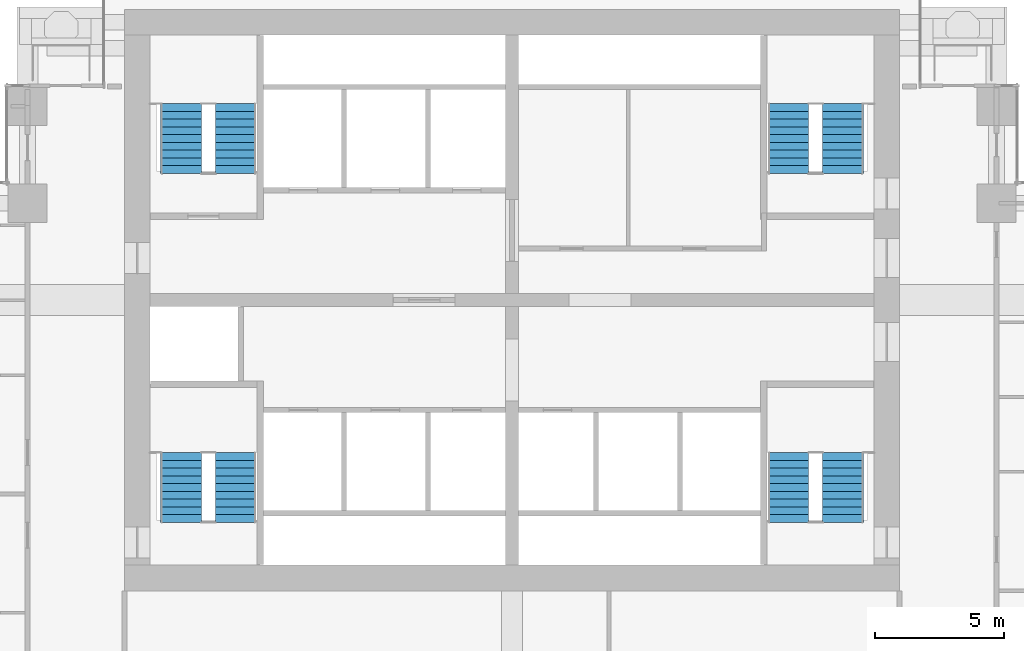
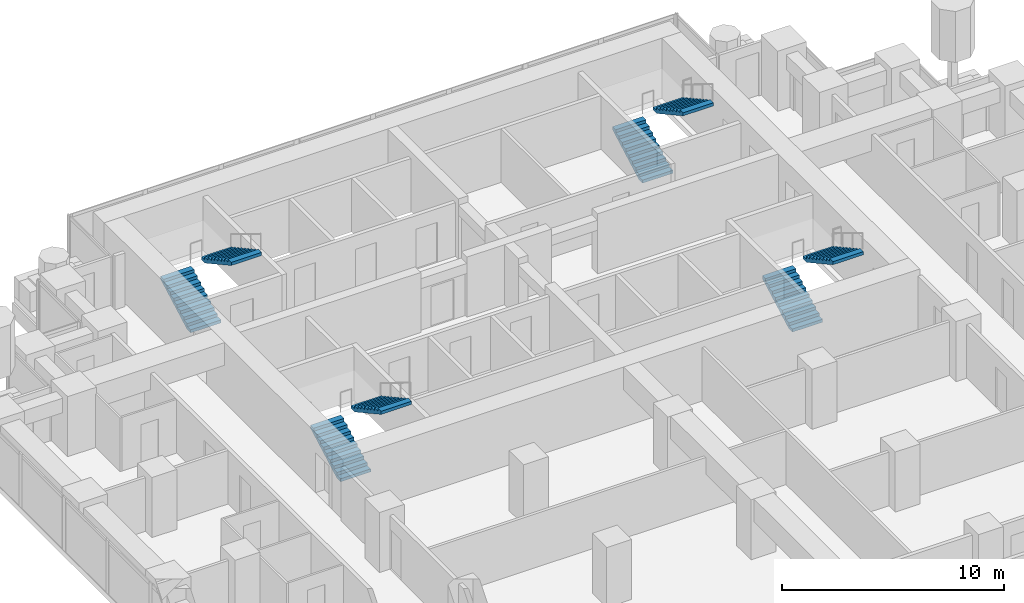
# One storey, part 17 of 20: 8 stair flights, 4 elements without a shape of their own.
"""IFC4 building model written with IfcOpenShell, lengths in metres."""

import ifcopenshell
import ifcopenshell.guid

model = None  # the IFC model being written
_history = None  # IfcOwnerHistory: only IFC2X3 demands one
_inside = {}  # id of a spatial element -> (the spatial element, [elements in it])
_under = {}  # id of a project, library or spatial element -> (it, [spatial elements below it])
_declared = {}  # id of a project -> (the project, [libraries it declares])
_typed = {}  # id of a type object -> (the type object, [elements of that type])
_made_of = {}  # id of a material, layer set ... -> (it, [elements and type objects made of it])


def new_model(schema):
    """Start an empty IFC model of exactly this schema.

    Asked for "IFC4X3", IfcOpenShell would pick the latest addendum, in which some entities
    have other attributes; the version numbers below select the first issue.
    IFC2X3 requires an IfcOwnerHistory on every rooted entity: one is made here for all.
    """
    global model, _history
    if schema == "IFC4X3":
        model = ifcopenshell.file(schema_version=(4, 3, 0, 0))
    else:
        model = ifcopenshell.file(schema=schema)
    _inside.clear()
    _under.clear()
    _declared.clear()
    _typed.clear()
    _made_of.clear()
    _history = None
    if model.schema == "IFC2X3":
        org = make("IfcOrganization", Name="unknown")
        user = make(
            "IfcPersonAndOrganization",
            ThePerson=make("IfcPerson", FamilyName="unknown"),
            TheOrganization=org,
        )
        app = make(
            "IfcApplication",
            ApplicationDeveloper=org,
            Version="unknown",
            ApplicationFullName="unknown",
            ApplicationIdentifier="unknown",
        )
        _history = make(
            "IfcOwnerHistory",
            OwningUser=user,
            OwningApplication=app,
            ChangeAction="ADDED",
            CreationDate=0,
        )
    return model


def make(cls, **values):
    """One entity of the class cls with the attributes given. An attribute that is None is left unset."""
    return model.create_entity(
        cls, **{name: value for name, value in values.items() if value is not None}
    )


def rooted(cls, **values):
    """An entity with a GlobalId (a new one), such as an element, a storey or a relation."""
    return make(cls, GlobalId=ifcopenshell.guid.new(), OwnerHistory=_history, **values)


def si_unit(unit_type, name, prefix=None):
    """IfcSIUnit, for example si_unit("LENGTHUNIT", "METRE", prefix="MILLI")."""
    return make("IfcSIUnit", UnitType=unit_type, Prefix=prefix, Name=name)


def assignment(units):
    """IfcUnitAssignment: the units of a project."""
    return None if units is None else make("IfcUnitAssignment", Units=units)


def point(xyz):
    """IfcCartesianPoint."""
    return None if xyz is None else make("IfcCartesianPoint", Coordinates=xyz)


def direction(xyz):
    """IfcDirection."""
    return None if xyz is None else make("IfcDirection", DirectionRatios=xyz)


def frame(location, z_axis=None, x_axis=None):
    """IfcAxis2Placement3D, a coordinate frame: its origin and axes. An axis left out is left unset."""
    return make(
        "IfcAxis2Placement3D",
        Location=point(location),
        Axis=direction(z_axis),
        RefDirection=direction(x_axis),
    )


def origin():
    """The frame at (0, 0, 0) with its axes left unset."""
    return frame((0.0, 0.0, 0.0))


def place(relative_to, where):
    """IfcLocalPlacement: puts the frame where relative to a parent placement (None: the world)."""
    return make(
        "IfcLocalPlacement", PlacementRelTo=relative_to, RelativePlacement=where
    )


def context(
    kind, dimensions, precision=None, world=None, true_north=None, identifier=None
):
    """IfcGeometricRepresentationContext, for example the 3D "Model" context."""
    return make(
        "IfcGeometricRepresentationContext",
        ContextIdentifier=identifier,
        ContextType=kind,
        CoordinateSpaceDimension=dimensions,
        Precision=precision,
        WorldCoordinateSystem=world,
        TrueNorth=true_north,
    )


def subcontext(parent, identifier, kind, view, scale=None):
    """IfcGeometricRepresentationSubContext, for example "Body" below "Model"."""
    return make(
        "IfcGeometricRepresentationSubContext",
        ContextIdentifier=identifier,
        ContextType=kind,
        ParentContext=parent,
        TargetScale=scale,
        TargetView=view,
    )


def project(units=None, contexts=None):
    """IfcProject with its units and contexts."""
    return rooted(
        "IfcProject",
        Name="project",
        RepresentationContexts=contexts,
        UnitsInContext=assignment(units),
    )


def spatial(cls, under=None, at=None, **own):
    """A site, building, storey or space (cls), placed at a placement, below another one or the project."""
    s = rooted(cls, ObjectPlacement=at, **own)
    if under is not None:
        _under.setdefault(under.id(), (under, []))[1].append(s)
    return s


def polyline(points):
    """IfcPolyline through the points."""
    return make("IfcPolyline", Points=[point(p) for p in points])


def outline(outer, holes=None, kind="AREA"):
    """IfcArbitraryClosedProfileDef: a profile drawn as a closed curve; with holes, ...WithVoids."""
    if holes is None:
        return make("IfcArbitraryClosedProfileDef", ProfileType=kind, OuterCurve=outer)
    return make(
        "IfcArbitraryProfileDefWithVoids",
        ProfileType=kind,
        OuterCurve=outer,
        InnerCurves=holes,
    )


def extrude(swept, where, along, depth):
    """IfcExtrudedAreaSolid: the profile swept, set in the frame where, extruded along a direction by depth."""
    return make(
        "IfcExtrudedAreaSolid",
        SweptArea=swept,
        Position=where,
        ExtrudedDirection=direction(along),
        Depth=depth,
    )


def shape(context_of_items, identifier, shape_type, items):
    """IfcShapeRepresentation: the items that make up one representation, for example the "Body"."""
    return make(
        "IfcShapeRepresentation",
        ContextOfItems=context_of_items,
        RepresentationIdentifier=identifier,
        RepresentationType=shape_type,
        Items=items,
    )


def material(Name=None, Category=None):
    """IfcMaterial."""
    return make("IfcMaterial", Name=Name, Category=Category)


def made_of(thing, what):
    """Note that an element or type object is made of a material, layer set ...; save() writes the relation."""
    if what is not None:
        _made_of.setdefault(what.id(), (what, []))[1].append(thing)
    return thing


def type_object(cls, material=None, **own):
    """A type object (cls), such as IfcWallType, which elements share."""
    return made_of(rooted(cls, **own), material)


def element(
    cls,
    number,
    at=None,
    inside=None,
    cuts=None,
    type_object=None,
    material=None,
    context=None,
    identifier="Body",
    shape_type=None,
    held_by="IfcProductDefinitionShape",
    body=None,
    shapes=None,
    **own,
):
    """One element of the class cls, such as IfcWall. Its Tag is "e" and its number.

    at: its placement. inside: the storey or other place that contains it. cuts: it is an
    opening in that element (IfcRelVoidsElement). A single representation is given by context,
    identifier, shape_type and body (its items); several are given by shapes. held_by: the class
    of the entity that holds the representations. save() writes the other relations.
    """
    e = rooted(cls, Tag="e%d" % number, ObjectPlacement=at, **own)
    if body is not None:
        shapes = [shape(context, identifier, shape_type, body)]
    if shapes is not None:
        e.Representation = make(held_by, Representations=shapes)
    if inside is not None:
        _inside.setdefault(inside.id(), (inside, []))[1].append(e)
    if cuts is not None:
        rooted(
            "IfcRelVoidsElement", RelatingBuildingElement=cuts, RelatedOpeningElement=e
        )
    if type_object is not None:
        _typed.setdefault(type_object.id(), (type_object, []))[1].append(e)
    return made_of(e, material)


def aggregate(whole, parts):
    """IfcRelAggregates: a whole, such as a stair, and the parts it consists of."""
    return rooted("IfcRelAggregates", RelatingObject=whole, RelatedObjects=parts)


def save(model, path):
    """Write the relations noted so far, then the file.

    IfcRelAggregates (storeys below a building ...), IfcRelContainedInSpatialStructure (elements
    in a storey), IfcRelDefinesByType, IfcRelAssociatesMaterial and IfcRelDeclares: one each for
    every whole, place, type object, material and project.
    """
    for whole, parts in _under.values():
        aggregate(whole, parts)
    for where, things in _inside.values():
        rooted(
            "IfcRelContainedInSpatialStructure",
            RelatedElements=things,
            RelatingStructure=where,
        )
    for kind, things in _typed.values():
        rooted("IfcRelDefinesByType", RelatedObjects=things, RelatingType=kind)
    for what, things in _made_of.values():
        rooted("IfcRelAssociatesMaterial", RelatedObjects=things, RelatingMaterial=what)
    for by, libraries in _declared.values():
        rooted("IfcRelDeclares", RelatingContext=by, RelatedDefinitions=libraries)
    model.write(path)


model = new_model("IFC4")

# Units and contexts
model_context = context("Model", 3, precision=1e-05, world=origin(), true_north=direction((0.0, 1.0)))
body_context = subcontext(model_context, "Body", "Model", "MODEL_VIEW")
ifc_project = project(units=[si_unit("LENGTHUNIT", "METRE"), si_unit("AREAUNIT", "SQUARE_METRE"), si_unit("VOLUMEUNIT", "CUBIC_METRE"), si_unit("PLANEANGLEUNIT", "RADIAN"), si_unit("MASSUNIT", "GRAM", prefix="KILO")], contexts=[model_context])

# Site, building, storey
site_placement = place(None, origin())
site = spatial("IfcSite", under=ifc_project, at=site_placement, CompositionType="ELEMENT")
building_placement = place(site_placement, origin())
building = spatial("IfcBuilding", under=site, at=building_placement, Name="Pilkhan Gate Tower", CompositionType="ELEMENT")
storey_placement = place(building_placement, frame((0.0, 0.0, 98.89990234375)))
storey = spatial("IfcBuildingStorey", under=building, at=storey_placement, Name="L24", CompositionType="ELEMENT", Elevation=98.89990234375)

# Stair, stair flights
ifc_material = material(Name="Concrete C40/50 precast", Category="concrete")
stair_type_1 = type_object("IfcStairType", Name="Stair ST1 165x300", PredefinedType="HALF_TURN_STAIR", material=ifc_material)
stair_1_placement = place(storey_placement, origin())
stair_1 = element("IfcStair", 1, at=stair_1_placement, inside=storey, type_object=stair_type_1, Name="Stair ST1 L24", PredefinedType="HALF_TURN_STAIR")
stair_flight_type_1 = type_object("IfcStairFlightType", Name="Stair flight ST1 165x300x10", PredefinedType="STRAIGHT", material=ifc_material)
stair_flight_1_placement = place(storey_placement, frame((85.68994140625, 73.89990234375, 0.0), z_axis=(0.0, 0.0, 1.0), x_axis=(0.0, 1.0, 0.0)))
stair_flight_1 = element("IfcStairFlight", 2, at=stair_flight_1_placement, type_object=stair_flight_type_1, Name="ST1 flight 1", NumberOfRisers=10, NumberOfTreads=9, PredefinedType="STRAIGHT", RiserHeight=0.165, TreadLength=0.3, context=body_context, shape_type="SweptSolid", body=[
    extrude(outline(polyline([(0.0, 0.0), (0.0, 0.1650390625), (0.300048828125, 0.1650390625), (0.300048828125, 0.330078125), (0.60009765625, 0.330078125), (0.60009765625, 0.4951171875), (0.89990234375, 0.4951171875), (0.89990234375, 0.659912109375), (1.199951171875, 0.659912109375), (1.199951171875, 0.824951171875), (1.5, 0.824951171875), (1.5, 0.989990234375), (1.800048828125, 0.989990234375), (1.800048828125, 1.155029296875), (2.10009765625, 1.155029296875), (2.10009765625, 1.320068359375), (2.39990234375, 1.320068359375), (2.39990234375, 1.485107421875), (2.699951171875, 1.485107421875), (2.699951171875, 1.64990234375), (2.699951171875, 1.31396484375), (0.31103515625, 0.0), (0.0, 0.0)])), frame((0.0, 0.7900390625, 0.0), z_axis=(0.0, -1.0, 0.0), x_axis=(1.0, 0.0, 0.0)), (0.0, 0.0, 1.0), 1.580078125),
])
stair_flight_2_placement = place(storey_placement, frame((87.81005859375, 76.60009765625, 1.650146484375), z_axis=(0.0, 0.0, 1.0), x_axis=(0.0, -1.0, 0.0)))
stair_flight_2 = element("IfcStairFlight", 3, at=stair_flight_2_placement, type_object=stair_flight_type_1, Name="ST1 flight 2", NumberOfRisers=10, NumberOfTreads=9, PredefinedType="STRAIGHT", RiserHeight=0.165, TreadLength=0.3, context=body_context, shape_type="SweptSolid", body=[
    extrude(outline(polyline([(0.0, 0.0), (0.0, 0.1650390625), (0.300048828125, 0.1650390625), (0.300048828125, 0.330078125), (0.60009765625, 0.330078125), (0.60009765625, 0.4951171875), (0.89990234375, 0.4951171875), (0.89990234375, 0.659912109375), (1.199951171875, 0.659912109375), (1.199951171875, 0.824951171875), (1.5, 0.824951171875), (1.5, 0.989990234375), (1.800048828125, 0.989990234375), (1.800048828125, 1.155029296875), (2.10009765625, 1.155029296875), (2.10009765625, 1.320068359375), (2.39990234375, 1.320068359375), (2.39990234375, 1.485107421875), (2.699951171875, 1.485107421875), (2.699951171875, 1.64990234375), (2.699951171875, 1.31396484375), (0.31103515625, 0.0), (0.0, 0.0)])), frame((0.0, 0.7900390625, 0.0), z_axis=(0.0, -1.0, 0.0), x_axis=(1.0, 0.0, 0.0)), (0.0, 0.0, 1.0), 1.580078125),
])
aggregate(stair_1, [stair_flight_1, stair_flight_2])

stair_type_2 = type_object("IfcStairType", Name="Stair ST2 165x300", PredefinedType="HALF_TURN_STAIR", material=ifc_material)
stair_2_placement = place(storey_placement, origin())
stair_2 = element("IfcStair", 4, at=stair_2_placement, inside=storey, type_object=stair_type_2, Name="Stair ST2 L24", PredefinedType="HALF_TURN_STAIR")
stair_flight_type_2 = type_object("IfcStairFlightType", Name="Stair flight ST2 165x300x10", PredefinedType="STRAIGHT", material=ifc_material)
stair_flight_3_placement = place(storey_placement, frame((62.18994140625, 73.89990234375, 0.0), z_axis=(0.0, 0.0, 1.0), x_axis=(0.0, 1.0, 0.0)))
stair_flight_3 = element("IfcStairFlight", 5, at=stair_flight_3_placement, type_object=stair_flight_type_2, Name="ST2 flight 1", NumberOfRisers=10, NumberOfTreads=9, PredefinedType="STRAIGHT", RiserHeight=0.165, TreadLength=0.3, context=body_context, shape_type="SweptSolid", body=[
    extrude(outline(polyline([(0.0, 0.0), (0.0, 0.1650390625), (0.300048828125, 0.1650390625), (0.300048828125, 0.330078125), (0.60009765625, 0.330078125), (0.60009765625, 0.4951171875), (0.89990234375, 0.4951171875), (0.89990234375, 0.659912109375), (1.199951171875, 0.659912109375), (1.199951171875, 0.824951171875), (1.5, 0.824951171875), (1.5, 0.989990234375), (1.800048828125, 0.989990234375), (1.800048828125, 1.155029296875), (2.10009765625, 1.155029296875), (2.10009765625, 1.320068359375), (2.39990234375, 1.320068359375), (2.39990234375, 1.485107421875), (2.699951171875, 1.485107421875), (2.699951171875, 1.64990234375), (2.699951171875, 1.31396484375), (0.31103515625, 0.0), (0.0, 0.0)])), frame((0.0, 0.7900390625, 0.0), z_axis=(0.0, -1.0, 0.0), x_axis=(1.0, 0.0, 0.0)), (0.0, 0.0, 1.0), 1.580078125),
])
stair_flight_4_placement = place(storey_placement, frame((64.31005859375, 76.60009765625, 1.650146484375), z_axis=(0.0, 0.0, 1.0), x_axis=(0.0, -1.0, 0.0)))
stair_flight_4 = element("IfcStairFlight", 6, at=stair_flight_4_placement, type_object=stair_flight_type_2, Name="ST2 flight 2", NumberOfRisers=10, NumberOfTreads=9, PredefinedType="STRAIGHT", RiserHeight=0.165, TreadLength=0.3, context=body_context, shape_type="SweptSolid", body=[
    extrude(outline(polyline([(0.0, 0.0), (0.0, 0.1650390625), (0.300048828125, 0.1650390625), (0.300048828125, 0.330078125), (0.60009765625, 0.330078125), (0.60009765625, 0.4951171875), (0.89990234375, 0.4951171875), (0.89990234375, 0.659912109375), (1.199951171875, 0.659912109375), (1.199951171875, 0.824951171875), (1.5, 0.824951171875), (1.5, 0.989990234375), (1.800048828125, 0.989990234375), (1.800048828125, 1.155029296875), (2.10009765625, 1.155029296875), (2.10009765625, 1.320068359375), (2.39990234375, 1.320068359375), (2.39990234375, 1.485107421875), (2.699951171875, 1.485107421875), (2.699951171875, 1.64990234375), (2.699951171875, 1.31396484375), (0.31103515625, 0.0), (0.0, 0.0)])), frame((0.0, 0.7900390625, 0.0), z_axis=(0.0, -1.0, 0.0), x_axis=(1.0, 0.0, 0.0)), (0.0, 0.0, 1.0), 1.580078125),
])
aggregate(stair_2, [stair_flight_3, stair_flight_4])

stair_type_3 = type_object("IfcStairType", Name="Stair ST3 165x300", PredefinedType="HALF_TURN_STAIR", material=ifc_material)
stair_3_placement = place(storey_placement, origin())
stair_3 = element("IfcStair", 7, at=stair_3_placement, inside=storey, type_object=stair_type_3, Name="Stair ST3 L24", PredefinedType="HALF_TURN_STAIR")
stair_flight_type_3 = type_object("IfcStairFlightType", Name="Stair flight ST3 165x300x10", PredefinedType="STRAIGHT", material=ifc_material)
stair_flight_5_placement = place(storey_placement, frame((62.18994140625, 87.39990234375, 0.0), z_axis=(0.0, 0.0, 1.0), x_axis=(0.0, 1.0, 0.0)))
stair_flight_5 = element("IfcStairFlight", 8, at=stair_flight_5_placement, type_object=stair_flight_type_3, Name="ST3 flight 1", NumberOfRisers=10, NumberOfTreads=9, PredefinedType="STRAIGHT", RiserHeight=0.165, TreadLength=0.3, context=body_context, shape_type="SweptSolid", body=[
    extrude(outline(polyline([(0.0, 0.0), (0.0, 0.1650390625), (0.300048828125, 0.1650390625), (0.300048828125, 0.330078125), (0.60009765625, 0.330078125), (0.60009765625, 0.4951171875), (0.89990234375, 0.4951171875), (0.89990234375, 0.659912109375), (1.199951171875, 0.659912109375), (1.199951171875, 0.824951171875), (1.5, 0.824951171875), (1.5, 0.989990234375), (1.800048828125, 0.989990234375), (1.800048828125, 1.155029296875), (2.10009765625, 1.155029296875), (2.10009765625, 1.320068359375), (2.39990234375, 1.320068359375), (2.39990234375, 1.485107421875), (2.699951171875, 1.485107421875), (2.699951171875, 1.64990234375), (2.699951171875, 1.31396484375), (0.31103515625, 0.0), (0.0, 0.0)])), frame((0.0, 0.7900390625, 0.0), z_axis=(0.0, -1.0, 0.0), x_axis=(1.0, 0.0, 0.0)), (0.0, 0.0, 1.0), 1.580078125),
])
stair_flight_6_placement = place(storey_placement, frame((64.31005859375, 90.10009765625, 1.650146484375), z_axis=(0.0, 0.0, 1.0), x_axis=(0.0, -1.0, 0.0)))
stair_flight_6 = element("IfcStairFlight", 9, at=stair_flight_6_placement, type_object=stair_flight_type_3, Name="ST3 flight 2", NumberOfRisers=10, NumberOfTreads=9, PredefinedType="STRAIGHT", RiserHeight=0.165, TreadLength=0.3, context=body_context, shape_type="SweptSolid", body=[
    extrude(outline(polyline([(0.0, 0.0), (0.0, 0.1650390625), (0.300048828125, 0.1650390625), (0.300048828125, 0.330078125), (0.60009765625, 0.330078125), (0.60009765625, 0.4951171875), (0.89990234375, 0.4951171875), (0.89990234375, 0.659912109375), (1.199951171875, 0.659912109375), (1.199951171875, 0.824951171875), (1.5, 0.824951171875), (1.5, 0.989990234375), (1.800048828125, 0.989990234375), (1.800048828125, 1.155029296875), (2.10009765625, 1.155029296875), (2.10009765625, 1.320068359375), (2.39990234375, 1.320068359375), (2.39990234375, 1.485107421875), (2.699951171875, 1.485107421875), (2.699951171875, 1.64990234375), (2.699951171875, 1.31396484375), (0.31103515625, 0.0), (0.0, 0.0)])), frame((0.0, 0.7900390625, 0.0), z_axis=(0.0, -1.0, 0.0), x_axis=(1.0, 0.0, 0.0)), (0.0, 0.0, 1.0), 1.580078125),
])
aggregate(stair_3, [stair_flight_5, stair_flight_6])

stair_type_4 = type_object("IfcStairType", Name="Stair ST4 165x300", PredefinedType="HALF_TURN_STAIR", material=ifc_material)
stair_4_placement = place(storey_placement, origin())
stair_4 = element("IfcStair", 10, at=stair_4_placement, inside=storey, type_object=stair_type_4, Name="Stair ST4 L24", PredefinedType="HALF_TURN_STAIR")
stair_flight_type_4 = type_object("IfcStairFlightType", Name="Stair flight ST4 165x300x10", PredefinedType="STRAIGHT", material=ifc_material)
stair_flight_7_placement = place(storey_placement, frame((85.68994140625, 87.39990234375, 0.0), z_axis=(0.0, 0.0, 1.0), x_axis=(0.0, 1.0, 0.0)))
stair_flight_7 = element("IfcStairFlight", 11, at=stair_flight_7_placement, type_object=stair_flight_type_4, Name="ST4 flight 1", NumberOfRisers=10, NumberOfTreads=9, PredefinedType="STRAIGHT", RiserHeight=0.165, TreadLength=0.3, context=body_context, shape_type="SweptSolid", body=[
    extrude(outline(polyline([(0.0, 0.0), (0.0, 0.1650390625), (0.300048828125, 0.1650390625), (0.300048828125, 0.330078125), (0.60009765625, 0.330078125), (0.60009765625, 0.4951171875), (0.89990234375, 0.4951171875), (0.89990234375, 0.659912109375), (1.199951171875, 0.659912109375), (1.199951171875, 0.824951171875), (1.5, 0.824951171875), (1.5, 0.989990234375), (1.800048828125, 0.989990234375), (1.800048828125, 1.155029296875), (2.10009765625, 1.155029296875), (2.10009765625, 1.320068359375), (2.39990234375, 1.320068359375), (2.39990234375, 1.485107421875), (2.699951171875, 1.485107421875), (2.699951171875, 1.64990234375), (2.699951171875, 1.31396484375), (0.31103515625, 0.0), (0.0, 0.0)])), frame((0.0, 0.7900390625, 0.0), z_axis=(0.0, -1.0, 0.0), x_axis=(1.0, 0.0, 0.0)), (0.0, 0.0, 1.0), 1.580078125),
])
stair_flight_8_placement = place(storey_placement, frame((87.81005859375, 90.10009765625, 1.650146484375), z_axis=(0.0, 0.0, 1.0), x_axis=(0.0, -1.0, 0.0)))
stair_flight_8 = element("IfcStairFlight", 12, at=stair_flight_8_placement, type_object=stair_flight_type_4, Name="ST4 flight 2", NumberOfRisers=10, NumberOfTreads=9, PredefinedType="STRAIGHT", RiserHeight=0.165, TreadLength=0.3, context=body_context, shape_type="SweptSolid", body=[
    extrude(outline(polyline([(0.0, 0.0), (0.0, 0.1650390625), (0.300048828125, 0.1650390625), (0.300048828125, 0.330078125), (0.60009765625, 0.330078125), (0.60009765625, 0.4951171875), (0.89990234375, 0.4951171875), (0.89990234375, 0.659912109375), (1.199951171875, 0.659912109375), (1.199951171875, 0.824951171875), (1.5, 0.824951171875), (1.5, 0.989990234375), (1.800048828125, 0.989990234375), (1.800048828125, 1.155029296875), (2.10009765625, 1.155029296875), (2.10009765625, 1.320068359375), (2.39990234375, 1.320068359375), (2.39990234375, 1.485107421875), (2.699951171875, 1.485107421875), (2.699951171875, 1.64990234375), (2.699951171875, 1.31396484375), (0.31103515625, 0.0), (0.0, 0.0)])), frame((0.0, 0.7900390625, 0.0), z_axis=(0.0, -1.0, 0.0), x_axis=(1.0, 0.0, 0.0)), (0.0, 0.0, 1.0), 1.580078125),
])
aggregate(stair_4, [stair_flight_7, stair_flight_8])

save(model, "model.ifc")
